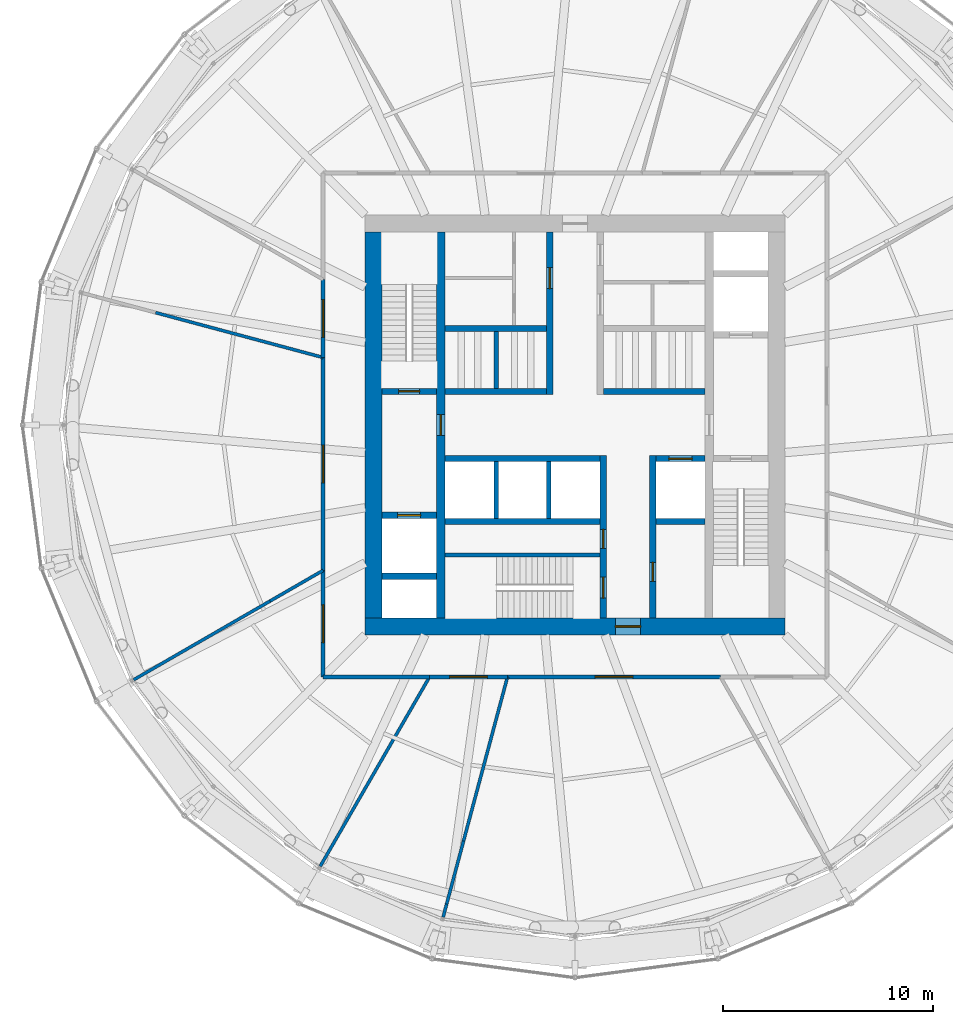
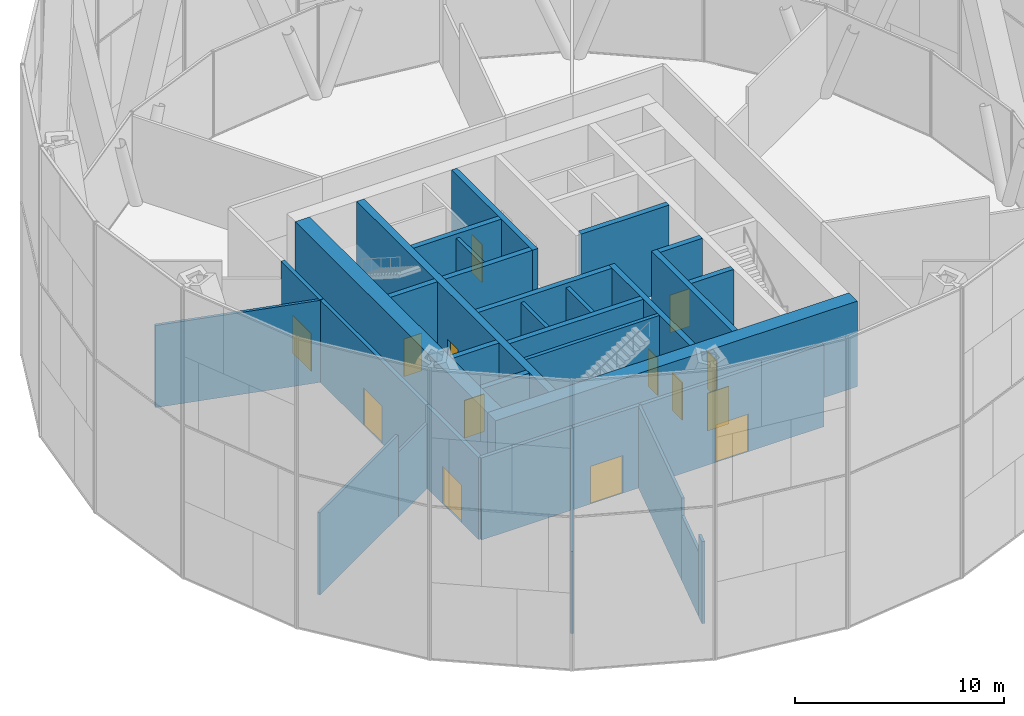
# One storey, part 13 of 16: 33 walls, 14 doors, 14 openings.
"""IFC4 building model written with IfcOpenShell, lengths in metres."""

from ifc_helpers import new_model, si_unit, direction, frame, frame_2d, origin, place, context, subcontext, project, spatial, rectangle, extrude, material, layer, layer_set, type_object, element, fill, save


model = new_model("IFC4")

# Units and contexts
model_context = context("Model", 3, precision=1e-05, world=origin(), true_north=direction((0.0, 1.0)))
body_context = subcontext(model_context, "Body", "Model", "MODEL_VIEW")
ifc_project = project(units=[si_unit("LENGTHUNIT", "METRE"), si_unit("AREAUNIT", "SQUARE_METRE"), si_unit("VOLUMEUNIT", "CUBIC_METRE"), si_unit("PLANEANGLEUNIT", "RADIAN"), si_unit("MASSUNIT", "GRAM", prefix="KILO")], contexts=[model_context])

# Site, building, storey
site_placement = place(None, origin())
site = spatial("IfcSite", under=ifc_project, at=site_placement, CompositionType="ELEMENT")
building_placement = place(site_placement, origin())
building = spatial("IfcBuilding", under=site, at=building_placement, Name="Golbaran Civic Tower", CompositionType="ELEMENT")
storey_placement = place(building_placement, frame((0.0, 0.0, 85.0)))
storey = spatial("IfcBuildingStorey", under=building, at=storey_placement, Name="L20", CompositionType="ELEMENT", Elevation=85.0)

# Wall, opening, door
ifc_material_1 = material(Name="Concrete C50/60", Category="concrete")
ifc_layer_1 = layer(ifc_material_1, 0.39990234375, Name="Concrete C50/60")
ifc_layer_set_1 = layer_set([ifc_layer_1], Name="Concrete C50/60")
wall_type_1 = type_object("IfcWallType", Name="CORE WALL CONCRETE 400", PredefinedType="SOLIDWALL", material=ifc_layer_set_1)
wall_1_placement = place(storey_placement, frame((-6.39990234375, -9.199951171875, 0.0), z_axis=(0.0, 0.0, 1.0), x_axis=(0.0, 1.0, 0.0)))
wall_1 = element("IfcWall", 1, at=wall_1_placement, inside=storey, type_object=wall_type_1, Name="Core wall IW L20", PredefinedType="SOLIDWALL", context=body_context, shape_type="SweptSolid", body=[
    extrude(rectangle(XDim=18.39990234375, YDim=0.39990234375, at=frame_2d((9.199951171875, 0.0))), origin(), (0.0, 0.0, 1.0), 5.0),
])
opening_1_placement = place(wall_1_placement, frame((8.699951171875, 0.0, 0.0)))
opening_1 = element("IfcOpeningElement", 2, at=opening_1_placement, cuts=wall_1, Name="Opening L20.FL1", PredefinedType="OPENING", context=body_context, shape_type="SweptSolid", body=[
    extrude(rectangle(XDim=1.0, YDim=2.199951171875, at=frame_2d((0.5, 1.10009765625))), frame((0.0, 0.2099609375, 0.0), z_axis=(0.0, -1.0, 0.0), x_axis=(1.0, 0.0, 0.0)), (0.0, 0.0, 1.0), 0.419921875),
])
ifc_material_2 = material(Name="Timber door set in steel frame", Category="steel")
door_type_1 = type_object("IfcDoorType", Name="STAIR DOOR 1000x2200", OperationType="SINGLE_SWING_LEFT", PredefinedType="DOOR", material=ifc_material_2)
door_1_placement = place(opening_1_placement, origin())
door_1 = element("IfcDoor", 3, at=door_1_placement, inside=storey, type_object=door_type_1, Name="Fire-fighting lobby FL1 door", OperationType="SINGLE_SWING_LEFT", OverallHeight=2.199951171875, OverallWidth=1.0, PredefinedType="DOOR", context=body_context, shape_type="SweptSolid", body=[
    extrude(rectangle(XDim=1.0, YDim=2.199951171875, at=frame_2d((0.5, 1.10009765625))), frame((0.0, 0.02490234375, 0.0), z_axis=(0.0, -1.0, 0.0), x_axis=(1.0, 0.0, 0.0)), (0.0, 0.0, 1.0), 0.050048828125),
])
fill(opening_1, door_1)

ifc_layer_2 = layer(ifc_material_1, 0.800048828125, Name="Concrete C50/60")
ifc_layer_set_2 = layer_set([ifc_layer_2], Name="Concrete C50/60")
wall_type_2 = type_object("IfcWallType", Name="CORE WALL CONCRETE 800", PredefinedType="SOLIDWALL", material=ifc_layer_set_2)
wall_2_placement = place(storey_placement, frame((10.0, -9.60009765625, 0.0), z_axis=(0.0, 0.0, 1.0), x_axis=(-1.0, 0.0, 0.0)))
wall_2 = element("IfcWall", 4, at=wall_2_placement, inside=storey, type_object=wall_type_2, Name="Core wall CS L20", PredefinedType="SOLIDWALL", context=body_context, shape_type="SweptSolid", body=[
    extrude(rectangle(XDim=20.0, YDim=0.800048828125, at=frame_2d((10.0, 0.0))), origin(), (0.0, 0.0, 1.0), 5.0),
])
opening_2_placement = place(wall_2_placement, frame((6.875, 0.0, 0.0)))
opening_2 = element("IfcOpeningElement", 5, at=opening_2_placement, cuts=wall_2, Name="Opening L20.CS", PredefinedType="OPENING", context=body_context, shape_type="SweptSolid", body=[
    extrude(rectangle(XDim=1.199951171875, YDim=2.199951171875, at=frame_2d((0.60009765625, 1.10009765625))), frame((0.0, 0.409912109375, 0.0), z_axis=(0.0, -1.0, 0.0), x_axis=(1.0, 0.0, 0.0)), (0.0, 0.0, 1.0), 0.820068359375),
])
door_type_2 = type_object("IfcDoorType", Name="CORE DOOR 1200x2200", OperationType="DOUBLE_DOOR_SINGLE_SWING", PredefinedType="DOOR", material=ifc_material_2)
door_2_placement = place(opening_2_placement, origin())
door_2 = element("IfcDoor", 6, at=door_2_placement, inside=storey, type_object=door_type_2, Name="Core door south", OperationType="DOUBLE_DOOR_SINGLE_SWING", OverallHeight=2.199951171875, OverallWidth=1.199951171875, PredefinedType="DOOR", context=body_context, shape_type="SweptSolid", body=[
    extrude(rectangle(XDim=1.199951171875, YDim=2.199951171875, at=frame_2d((0.60009765625, 1.10009765625))), frame((0.0, 0.02490234375, 0.0), z_axis=(0.0, -1.0, 0.0), x_axis=(1.0, 0.0, 0.0)), (0.0, 0.0, 1.0), 0.050048828125),
])
fill(opening_2, door_2)

# Wall
wall_3_placement = place(storey_placement, frame((-9.60009765625, 9.199951171875, 0.0), z_axis=(0.0, 0.0, 1.0), x_axis=(0.0, -1.0, 0.0)))
element("IfcWall", 7, at=wall_3_placement, inside=storey, type_object=wall_type_2, Name="Core wall CW L20", PredefinedType="SOLIDWALL", context=body_context, shape_type="SweptSolid", body=[
    extrude(rectangle(XDim=18.39990234375, YDim=0.800048828125, at=frame_2d((9.199951171875, 0.0))), origin(), (0.0, 0.0, 1.0), 5.0),
])

# Wall, opening, door
ifc_material_3 = material(Name="Gypsum board on steel studs, fire-rated", Category="steel")
ifc_layer_3 = layer(ifc_material_3, 0.199951171875, Name="Gypsum board on steel studs, fire-rated")
ifc_layer_set_3 = layer_set([ifc_layer_3], Name="Gypsum board on steel studs, fire-rated")
wall_type_3 = type_object("IfcWallType", Name="CORRIDOR WALL 200", PredefinedType="PARTITIONING", material=ifc_layer_set_3)
wall_4_placement = place(storey_placement, frame((-12.0, 6.92822265625, 0.0), z_axis=(0.0, 0.0, 1.0), x_axis=(0.0, -1.0, 0.0)))
wall_4 = element("IfcWall", 8, at=wall_4_placement, inside=storey, type_object=wall_type_3, Name="Corridor wall L20", PredefinedType="PARTITIONING", context=body_context, shape_type="SweptSolid", body=[
    extrude(rectangle(XDim=3.712890625, YDim=0.199951171875, at=frame_2d((1.8564453125, 0.0))), origin(), (0.0, 0.0, 1.0), 4.800048828125),
])
opening_3_placement = place(wall_4_placement, frame((0.956298828125, 0.0, 0.0)))
opening_3 = element("IfcOpeningElement", 9, at=opening_3_placement, cuts=wall_4, Name="Opening L20.08", PredefinedType="OPENING", context=body_context, shape_type="SweptSolid", body=[
    extrude(rectangle(XDim=1.800048828125, YDim=2.199951171875, at=frame_2d((0.89990234375, 1.10009765625))), frame((0.0, 0.10986328125, 0.0), z_axis=(0.0, -1.0, 0.0), x_axis=(1.0, 0.0, 0.0)), (0.0, 0.0, 1.0), 0.219970703125),
])
door_type_3 = type_object("IfcDoorType", Name="OFFICE DOUBLE DOOR 1800x2200", OperationType="DOUBLE_DOOR_SINGLE_SWING", PredefinedType="DOOR", material=ifc_material_2)
door_3_placement = place(opening_3_placement, origin())
door_3 = element("IfcDoor", 10, at=door_3_placement, inside=storey, type_object=door_type_3, Name="Refuge Area door L20", OperationType="DOUBLE_DOOR_SINGLE_SWING", OverallHeight=2.199951171875, OverallWidth=1.800048828125, PredefinedType="DOOR", context=body_context, shape_type="SweptSolid", body=[
    extrude(rectangle(XDim=1.800048828125, YDim=2.199951171875, at=frame_2d((0.89990234375, 1.10009765625))), frame((0.0, 0.02490234375, 0.0), z_axis=(0.0, -1.0, 0.0), x_axis=(1.0, 0.0, 0.0)), (0.0, 0.0, 1.0), 0.050048828125),
])
fill(opening_3, door_3)

wall_5_placement = place(storey_placement, frame((-12.0, 3.21533203125, 0.0), z_axis=(0.0, 0.0, 1.0), x_axis=(0.0, -1.0, 0.0)))
wall_5 = element("IfcWall", 11, at=wall_5_placement, inside=storey, type_object=wall_type_3, Name="Corridor wall L20", PredefinedType="PARTITIONING", context=body_context, shape_type="SweptSolid", body=[
    extrude(rectangle(XDim=10.1435546875, YDim=0.199951171875, at=frame_2d((5.07177734375, 0.0))), origin(), (0.0, 0.0, 1.0), 4.800048828125),
])
opening_4_placement = place(wall_5_placement, frame((4.171875, 0.0, 0.0)))
opening_4 = element("IfcOpeningElement", 12, at=opening_4_placement, cuts=wall_5, Name="Opening L20.09", PredefinedType="OPENING", context=body_context, shape_type="SweptSolid", body=[
    extrude(rectangle(XDim=1.800048828125, YDim=2.199951171875, at=frame_2d((0.89990234375, 1.10009765625))), frame((0.0, 0.10986328125, 0.0), z_axis=(0.0, -1.0, 0.0), x_axis=(1.0, 0.0, 0.0)), (0.0, 0.0, 1.0), 0.219970703125),
])
door_4_placement = place(opening_4_placement, origin())
door_4 = element("IfcDoor", 13, at=door_4_placement, inside=storey, type_object=door_type_3, Name="Air Handling Plant Room door L20", OperationType="DOUBLE_DOOR_SINGLE_SWING", OverallHeight=2.199951171875, OverallWidth=1.800048828125, PredefinedType="DOOR", context=body_context, shape_type="SweptSolid", body=[
    extrude(rectangle(XDim=1.800048828125, YDim=2.199951171875, at=frame_2d((0.89990234375, 1.10009765625))), frame((0.0, 0.02490234375, 0.0), z_axis=(0.0, -1.0, 0.0), x_axis=(1.0, 0.0, 0.0)), (0.0, 0.0, 1.0), 0.050048828125),
])
fill(opening_4, door_4)

wall_6_placement = place(storey_placement, frame((-12.0, -6.92822265625, 0.0), z_axis=(0.0, 0.0, 1.0), x_axis=(0.0, -1.0, 0.0)))
wall_6 = element("IfcWall", 14, at=wall_6_placement, inside=storey, type_object=wall_type_3, Name="Corridor wall L20", PredefinedType="PARTITIONING", context=body_context, shape_type="SweptSolid", body=[
    extrude(rectangle(XDim=5.07177734375, YDim=0.199951171875, at=frame_2d((2.535888671875, 0.0))), origin(), (0.0, 0.0, 1.0), 4.800048828125),
])
opening_5_placement = place(wall_6_placement, frame((1.635986328125, 0.0, 0.0)))
opening_5 = element("IfcOpeningElement", 15, at=opening_5_placement, cuts=wall_6, Name="Opening L20.10", PredefinedType="OPENING", context=body_context, shape_type="SweptSolid", body=[
    extrude(rectangle(XDim=1.800048828125, YDim=2.199951171875, at=frame_2d((0.89990234375, 1.10009765625))), frame((0.0, 0.10986328125, 0.0), z_axis=(0.0, -1.0, 0.0), x_axis=(1.0, 0.0, 0.0)), (0.0, 0.0, 1.0), 0.219970703125),
])
door_5_placement = place(opening_5_placement, origin())
door_5 = element("IfcDoor", 16, at=door_5_placement, inside=storey, type_object=door_type_3, Name="Electrical Switch Room door L20", OperationType="DOUBLE_DOOR_SINGLE_SWING", OverallHeight=2.199951171875, OverallWidth=1.800048828125, PredefinedType="DOOR", context=body_context, shape_type="SweptSolid", body=[
    extrude(rectangle(XDim=1.800048828125, YDim=2.199951171875, at=frame_2d((0.89990234375, 1.10009765625))), frame((0.0, 0.02490234375, 0.0), z_axis=(0.0, -1.0, 0.0), x_axis=(1.0, 0.0, 0.0)), (0.0, 0.0, 1.0), 0.050048828125),
])
fill(opening_5, door_5)

# Wall
wall_7_placement = place(storey_placement, frame((-12.0, -12.0, 0.0), z_axis=(0.0, 0.0, 1.0), x_axis=(1.0, 0.0, 0.0)))
element("IfcWall", 17, at=wall_7_placement, inside=storey, type_object=wall_type_3, Name="Corridor wall L20", PredefinedType="PARTITIONING", context=body_context, shape_type="SweptSolid", body=[
    extrude(rectangle(XDim=5.07177734375, YDim=0.199951171875, at=frame_2d((2.535888671875, 0.0))), origin(), (0.0, 0.0, 1.0), 4.800048828125),
])

# Wall, opening, door
wall_8_placement = place(storey_placement, frame((-6.92822265625, -12.0, 0.0), z_axis=(0.0, 0.0, 1.0), x_axis=(1.0, 0.0, 0.0)))
wall_8 = element("IfcWall", 18, at=wall_8_placement, inside=storey, type_object=wall_type_3, Name="Corridor wall L20", PredefinedType="PARTITIONING", context=body_context, shape_type="SweptSolid", body=[
    extrude(rectangle(XDim=3.712890625, YDim=0.199951171875, at=frame_2d((1.8564453125, 0.0))), origin(), (0.0, 0.0, 1.0), 4.800048828125),
])
opening_6_placement = place(wall_8_placement, frame((0.956298828125, 0.0, 0.0)))
opening_6 = element("IfcOpeningElement", 19, at=opening_6_placement, cuts=wall_8, Name="Opening L20.11", PredefinedType="OPENING", context=body_context, shape_type="SweptSolid", body=[
    extrude(rectangle(XDim=1.800048828125, YDim=2.199951171875, at=frame_2d((0.89990234375, 1.10009765625))), frame((0.0, 0.10986328125, 0.0), z_axis=(0.0, -1.0, 0.0), x_axis=(1.0, 0.0, 0.0)), (0.0, 0.0, 1.0), 0.219970703125),
])
door_6_placement = place(opening_6_placement, origin())
door_6 = element("IfcDoor", 20, at=door_6_placement, inside=storey, type_object=door_type_3, Name="Chiller Plant Room door L20", OperationType="DOUBLE_DOOR_SINGLE_SWING", OverallHeight=2.199951171875, OverallWidth=1.800048828125, PredefinedType="DOOR", context=body_context, shape_type="SweptSolid", body=[
    extrude(rectangle(XDim=1.800048828125, YDim=2.199951171875, at=frame_2d((0.89990234375, 1.10009765625))), frame((0.0, 0.02490234375, 0.0), z_axis=(0.0, -1.0, 0.0), x_axis=(1.0, 0.0, 0.0)), (0.0, 0.0, 1.0), 0.050048828125),
])
fill(opening_6, door_6)

wall_9_placement = place(storey_placement, frame((-3.21533203125, -12.0, 0.0), z_axis=(0.0, 0.0, 1.0), x_axis=(1.0, 0.0, 0.0)))
wall_9 = element("IfcWall", 21, at=wall_9_placement, inside=storey, type_object=wall_type_3, Name="Corridor wall L20", PredefinedType="PARTITIONING", context=body_context, shape_type="SweptSolid", body=[
    extrude(rectangle(XDim=10.1435546875, YDim=0.199951171875, at=frame_2d((5.07177734375, 0.0))), origin(), (0.0, 0.0, 1.0), 4.800048828125),
])
opening_7_placement = place(wall_9_placement, frame((4.171875, 0.0, 0.0)))
opening_7 = element("IfcOpeningElement", 22, at=opening_7_placement, cuts=wall_9, Name="Opening L20.12", PredefinedType="OPENING", context=body_context, shape_type="SweptSolid", body=[
    extrude(rectangle(XDim=1.800048828125, YDim=2.199951171875, at=frame_2d((0.89990234375, 1.10009765625))), frame((0.0, 0.10986328125, 0.0), z_axis=(0.0, -1.0, 0.0), x_axis=(1.0, 0.0, 0.0)), (0.0, 0.0, 1.0), 0.219970703125),
])
door_7_placement = place(opening_7_placement, origin())
door_7 = element("IfcDoor", 23, at=door_7_placement, inside=storey, type_object=door_type_3, Name="Refuge Area door L20", OperationType="DOUBLE_DOOR_SINGLE_SWING", OverallHeight=2.199951171875, OverallWidth=1.800048828125, PredefinedType="DOOR", context=body_context, shape_type="SweptSolid", body=[
    extrude(rectangle(XDim=1.800048828125, YDim=2.199951171875, at=frame_2d((0.89990234375, 1.10009765625))), frame((0.0, 0.02490234375, 0.0), z_axis=(0.0, -1.0, 0.0), x_axis=(1.0, 0.0, 0.0)), (0.0, 0.0, 1.0), 0.050048828125),
])
fill(opening_7, door_7)

# Walls
ifc_material_4 = material(Name="Concrete block", Category="concrete")
ifc_layer_4 = layer(ifc_material_4, 0.199951171875, Name="Concrete block")
ifc_layer_set_4 = layer_set([ifc_layer_4], Name="Concrete block")
wall_type_4 = type_object("IfcWallType", Name="LIFT SEPARATOR WALL 200", PredefinedType="SOLIDWALL", material=ifc_layer_set_4)
for number, where, z_axis, x_axis, name in (
    (24, (-3.75, 1.75, 0.0), (0.0, 0.0, 1.0), (0.0, 1.0, 0.0), "Core partition SNW L20"),
    (25, (-3.75, -1.75, 0.0), (0.0, 0.0, 1.0), (0.0, -1.0, 0.0), "Core partition SSW L20"),
    (26, (-1.25, -1.75, 0.0), (0.0, 0.0, 1.0), (0.0, -1.0, 0.0), "Core partition SSM L20"),
):
    element("IfcWall", number, at=place(storey_placement, frame(where, z_axis=z_axis, x_axis=x_axis)), inside=storey, type_object=wall_type_4, Name=name, PredefinedType="SOLIDWALL", context=body_context, shape_type="SweptSolid", body=[
        extrude(rectangle(XDim=2.699951171875, YDim=0.199951171875, at=frame_2d((1.35009765625, 0.0))), origin(), (0.0, 0.0, 1.0), 4.75),
    ])
ifc_material_5 = material(Name="Gypsum board on steel studs", Category="steel")
ifc_layer_5 = layer(ifc_material_5, 0.14990234375, Name="Gypsum board on steel studs")
ifc_layer_set_5 = layer_set([ifc_layer_5], Name="Gypsum board on steel studs")
wall_type_5 = type_object("IfcWallType", Name="OFFICE PARTITION 150", PredefinedType="PARTITIONING", material=ifc_layer_set_5)
wall_10_placement = place(storey_placement, frame((-12.0, 3.21533203125, 0.0), z_axis=(0.0, 0.0, 1.0), x_axis=(-0.965926149295, 0.258817839624, 0.0)))
element("IfcWall", 27, at=wall_10_placement, inside=storey, type_object=wall_type_5, Name="Partition 165 L20", PredefinedType="PARTITIONING", context=body_context, shape_type="SweptSolid", body=[
    extrude(rectangle(XDim=8.259521484375, YDim=0.14990234375, at=frame_2d((4.1298828125, 0.0))), origin(), (0.0, 0.0, 1.0), 4.800048828125),
])
wall_11_placement = place(storey_placement, frame((-12.0, -6.92822265625, 0.0), z_axis=(0.0, 0.0, 1.0), x_axis=(-0.866026830048, -0.499997529631, 0.0)))
element("IfcWall", 28, at=wall_11_placement, inside=storey, type_object=wall_type_5, Name="Partition 210 L20", PredefinedType="PARTITIONING", context=body_context, shape_type="SweptSolid", body=[
    extrude(rectangle(XDim=2.91943359375, YDim=0.14990234375, at=frame_2d((1.459716796875, 0.0))), origin(), (0.0, 0.0, 1.0), 3.7900390625),
])
wall_12_placement = place(storey_placement, frame((-14.5283203125, -8.387939453125, 0.0), z_axis=(0.0, 0.0, 1.0), x_axis=(-0.8660207781, -0.500008011835, 0.0)))
element("IfcWall", 29, at=wall_12_placement, inside=storey, type_object=wall_type_5, Name="Partition 210 L20 (part 2)", PredefinedType="PARTITIONING", context=body_context, shape_type="SweptSolid", body=[
    extrude(rectangle(XDim=7.49951171875, YDim=0.14990234375, at=frame_2d((3.749755859375, 0.0))), origin(), (0.0, 0.0, 1.0), 4.800048828125),
])
wall_13_placement = place(storey_placement, frame((-6.92822265625, -12.0, 0.0), z_axis=(0.0, 0.0, 1.0), x_axis=(-0.500005074639, -0.86602247392, 0.0)))
element("IfcWall", 30, at=wall_13_placement, inside=storey, type_object=wall_type_5, Name="Partition 240 L20", PredefinedType="PARTITIONING", context=body_context, shape_type="SweptSolid", body=[
    extrude(rectangle(XDim=10.4189453125, YDim=0.14990234375, at=frame_2d((5.20947265625, 0.0))), origin(), (0.0, 0.0, 1.0), 4.800048828125),
])
wall_14_placement = place(storey_placement, frame((-3.21533203125, -12.0, 0.0), z_axis=(0.0, 0.0, 1.0), x_axis=(-0.258830053586, -0.965922876508, 0.0)))
element("IfcWall", 31, at=wall_14_placement, inside=storey, type_object=wall_type_5, Name="Partition 255 L20", PredefinedType="PARTITIONING", context=body_context, shape_type="SweptSolid", body=[
    extrude(rectangle(XDim=8.094970703125, YDim=0.14990234375, at=frame_2d((4.04736328125, 0.0))), origin(), (0.0, 0.0, 1.0), 4.800048828125),
])
wall_15_placement = place(storey_placement, frame((-5.310546875, -19.819091796875, 0.0), z_axis=(0.0, 0.0, 1.0), x_axis=(-0.258835525839, -0.965921410138, 0.0)))
element("IfcWall", 32, at=wall_15_placement, inside=storey, type_object=wall_type_5, Name="Partition 255 L20 (part 2)", PredefinedType="PARTITIONING", context=body_context, shape_type="SweptSolid", body=[
    extrude(rectangle(XDim=3.10888671875, YDim=0.14990234375, at=frame_2d((1.554443359375, 0.0))), origin(), (0.0, 0.0, 1.0), 3.7900390625),
])
wall_16_placement = place(storey_placement, frame((-6.115234375, -22.822021484375, 0.0), z_axis=(0.0, 0.0, 1.0), x_axis=(-0.258811407408, -0.965927872771, 0.0)))
element("IfcWall", 33, at=wall_16_placement, inside=storey, type_object=wall_type_5, Name="Partition 255 L20 (part 3)", PredefinedType="PARTITIONING", context=body_context, shape_type="SweptSolid", body=[
    extrude(rectangle(XDim=0.64794921875, YDim=0.14990234375, at=frame_2d((0.323974609375, 0.0))), origin(), (0.0, 0.0, 1.0), 4.800048828125),
])
ifc_layer_6 = layer(ifc_material_1, 0.199951171875, Name="Concrete C50/60")
ifc_layer_set_6 = layer_set([ifc_layer_6], Name="Concrete C50/60")
wall_type_6 = type_object("IfcWallType", Name="SHAFT WALL CONCRETE 200", PredefinedType="SOLIDWALL", material=ifc_layer_set_6)
wall_17_placement = place(storey_placement, frame((-6.199951171875, -6.199951171875, 0.0), z_axis=(0.0, 0.0, 1.0), x_axis=(1.0, 0.0, 0.0)))
element("IfcWall", 34, at=wall_17_placement, inside=storey, type_object=wall_type_6, Name="Core wall S3N L20", PredefinedType="SOLIDWALL", context=body_context, shape_type="SweptSolid", body=[
    extrude(rectangle(XDim=7.39990234375, YDim=0.199951171875, at=frame_2d((3.699951171875, 0.0))), origin(), (0.0, 0.0, 1.0), 5.0),
])
ifc_layer_7 = layer(ifc_material_1, 0.300048828125, Name="Concrete C50/60")
ifc_layer_set_7 = layer_set([ifc_layer_7], Name="Concrete C50/60")
wall_type_7 = type_object("IfcWallType", Name="SHAFT WALL CONCRETE 300", PredefinedType="SOLIDWALL", material=ifc_layer_set_7)
for number, where, z_axis, x_axis, name in (
    (35, (-6.199951171875, 1.60009765625, 0.0), (0.0, 0.0, 1.0), (1.0, 0.0, 0.0), "Core wall FNW L20"),
    (36, (1.35009765625, 1.60009765625, 0.0), (0.0, 0.0, 1.0), (1.0, 0.0, 0.0), "Core wall FNE L20"),
    (37, (-6.199951171875, 4.60009765625, 0.0), (0.0, 0.0, 1.0), (1.0, 0.0, 0.0), "Core wall BNW L20"),
):
    element("IfcWall", number, at=place(storey_placement, frame(where, z_axis=z_axis, x_axis=x_axis)), inside=storey, type_object=wall_type_7, Name=name, PredefinedType="SOLIDWALL", context=body_context, shape_type="SweptSolid", body=[
        extrude(rectangle(XDim=4.849853515625, YDim=0.300048828125, at=frame_2d((2.4248046875, 0.0))), origin(), (0.0, 0.0, 1.0), 5.0),
    ])

# Wall, opening, door
wall_18_placement = place(storey_placement, frame((-1.199951171875, 1.449951171875, 0.0), z_axis=(0.0, 0.0, 1.0), x_axis=(0.0, 1.0, 0.0)))
wall_18 = element("IfcWall", 38, at=wall_18_placement, inside=storey, type_object=wall_type_7, Name="Core wall PNW L20", PredefinedType="SOLIDWALL", context=body_context, shape_type="SweptSolid", body=[
    extrude(rectangle(XDim=7.75, YDim=0.300048828125, at=frame_2d((3.875, 0.0))), origin(), (0.0, 0.0, 1.0), 5.0),
])
opening_8_placement = place(wall_18_placement, frame((5.050048828125, 0.0, 0.0)))
opening_8 = element("IfcOpeningElement", 39, at=opening_8_placement, cuts=wall_18, Name="Opening L20.WCM", PredefinedType="OPENING", context=body_context, shape_type="SweptSolid", body=[
    extrude(rectangle(XDim=1.0, YDim=2.199951171875, at=frame_2d((0.5, 1.10009765625))), frame((0.0, 0.159912109375, 0.0), z_axis=(0.0, -1.0, 0.0), x_axis=(1.0, 0.0, 0.0)), (0.0, 0.0, 1.0), 0.320068359375),
])
door_type_4 = type_object("IfcDoorType", Name="TOILET DOOR 1000x2200", OperationType="SINGLE_SWING_LEFT", PredefinedType="DOOR", material=ifc_material_2)
door_8_placement = place(opening_8_placement, origin())
door_8 = element("IfcDoor", 40, at=door_8_placement, inside=storey, type_object=door_type_4, Name="North-west toilet block door", OperationType="SINGLE_SWING_RIGHT", OverallHeight=2.199951171875, OverallWidth=1.0, PredefinedType="DOOR", context=body_context, shape_type="SweptSolid", body=[
    extrude(rectangle(XDim=1.0, YDim=2.199951171875, at=frame_2d((0.5, 1.10009765625))), frame((0.0, 0.02490234375, 0.0), z_axis=(0.0, -1.0, 0.0), x_axis=(1.0, 0.0, 0.0)), (0.0, 0.0, 1.0), 0.050048828125),
])
fill(opening_8, door_8)

# Wall
wall_19_placement = place(storey_placement, frame((-6.199951171875, -1.60009765625, 0.0), z_axis=(0.0, 0.0, 1.0), x_axis=(1.0, 0.0, 0.0)))
element("IfcWall", 41, at=wall_19_placement, inside=storey, type_object=wall_type_7, Name="Core wall FSW L20", PredefinedType="SOLIDWALL", context=body_context, shape_type="SweptSolid", body=[
    extrude(rectangle(XDim=7.39990234375, YDim=0.300048828125, at=frame_2d((3.699951171875, 0.0))), origin(), (0.0, 0.0, 1.0), 5.0),
])

# Wall, opening, door
wall_20_placement = place(storey_placement, frame((3.85009765625, -1.60009765625, 0.0), z_axis=(0.0, 0.0, 1.0), x_axis=(1.0, 0.0, 0.0)))
wall_20 = element("IfcWall", 42, at=wall_20_placement, inside=storey, type_object=wall_type_7, Name="Core wall FSE L20", PredefinedType="SOLIDWALL", context=body_context, shape_type="SweptSolid", body=[
    extrude(rectangle(XDim=2.349853515625, YDim=0.300048828125, at=frame_2d((1.1748046875, 0.0))), origin(), (0.0, 0.0, 1.0), 5.0),
])
opening_9_placement = place(wall_20_placement, frame((0.625, 0.0, 0.0)))
opening_9 = element("IfcOpeningElement", 43, at=opening_9_placement, cuts=wall_20, Name="Opening L20.LD-V1", PredefinedType="OPENING", context=body_context, shape_type="SweptSolid", body=[
    extrude(rectangle(XDim=1.10009765625, YDim=2.199951171875, at=frame_2d((0.550048828125, 1.10009765625))), frame((0.0, 0.159912109375, 0.0), z_axis=(0.0, -1.0, 0.0), x_axis=(1.0, 0.0, 0.0)), (0.0, 0.0, 1.0), 0.320068359375),
])
ifc_material_6 = material(Name="Stainless steel", Category="steel")
door_type_5 = type_object("IfcDoorType", Name="LIFT LANDING DOOR 1100x2200", OperationType="SLIDING_TO_LEFT", PredefinedType="DOOR", material=ifc_material_6)
door_9_placement = place(opening_9_placement, origin())
door_9 = element("IfcDoor", 44, at=door_9_placement, inside=storey, type_object=door_type_5, Name="Lift landing door V1", OperationType="SLIDING_TO_LEFT", OverallHeight=2.199951171875, OverallWidth=1.10009765625, PredefinedType="DOOR", context=body_context, shape_type="SweptSolid", body=[
    extrude(rectangle(XDim=1.10009765625, YDim=2.199951171875, at=frame_2d((0.550048828125, 1.10009765625))), frame((0.0, 0.02490234375, 0.0), z_axis=(0.0, -1.0, 0.0), x_axis=(1.0, 0.0, 0.0)), (0.0, 0.0, 1.0), 0.050048828125),
])
fill(opening_9, door_9)

# Walls
wall_21_placement = place(storey_placement, frame((-6.199951171875, -4.60009765625, 0.0), z_axis=(0.0, 0.0, 1.0), x_axis=(1.0, 0.0, 0.0)))
element("IfcWall", 45, at=wall_21_placement, inside=storey, type_object=wall_type_7, Name="Core wall BSW L20", PredefinedType="SOLIDWALL", context=body_context, shape_type="SweptSolid", body=[
    extrude(rectangle(XDim=7.39990234375, YDim=0.300048828125, at=frame_2d((3.699951171875, 0.0))), origin(), (0.0, 0.0, 1.0), 5.0),
])
wall_22_placement = place(storey_placement, frame((3.85009765625, -4.60009765625, 0.0), z_axis=(0.0, 0.0, 1.0), x_axis=(1.0, 0.0, 0.0)))
element("IfcWall", 46, at=wall_22_placement, inside=storey, type_object=wall_type_7, Name="Core wall BSE L20", PredefinedType="SOLIDWALL", context=body_context, shape_type="SweptSolid", body=[
    extrude(rectangle(XDim=2.349853515625, YDim=0.300048828125, at=frame_2d((1.1748046875, 0.0))), origin(), (0.0, 0.0, 1.0), 5.0),
])

# Wall, openings, doors
wall_23_placement = place(storey_placement, frame((1.35009765625, -1.449951171875, 0.0), z_axis=(0.0, 0.0, 1.0), x_axis=(0.0, -1.0, 0.0)))
wall_23 = element("IfcWall", 47, at=wall_23_placement, inside=storey, type_object=wall_type_7, Name="Core wall PSW L20", PredefinedType="SOLIDWALL", context=body_context, shape_type="SweptSolid", body=[
    extrude(rectangle(XDim=7.75, YDim=0.300048828125, at=frame_2d((3.875, 0.0))), origin(), (0.0, 0.0, 1.0), 5.0),
])
opening_10_placement = place(wall_23_placement, frame((5.800048828125, 0.0, 0.0)))
opening_10 = element("IfcOpeningElement", 48, at=opening_10_placement, cuts=wall_23, Name="Opening L20.S3", PredefinedType="OPENING", context=body_context, shape_type="SweptSolid", body=[
    extrude(rectangle(XDim=1.0, YDim=2.199951171875, at=frame_2d((0.5, 1.10009765625))), frame((0.0, 0.159912109375, 0.0), z_axis=(0.0, -1.0, 0.0), x_axis=(1.0, 0.0, 0.0)), (0.0, 0.0, 1.0), 0.320068359375),
])
opening_11_placement = place(wall_23_placement, frame((3.52490234375, 0.0, 0.0)))
opening_11 = element("IfcOpeningElement", 49, at=opening_11_placement, cuts=wall_23, Name="Opening L20.RE", PredefinedType="OPENING", context=body_context, shape_type="SweptSolid", body=[
    extrude(rectangle(XDim=0.89990234375, YDim=2.199951171875, at=frame_2d((0.449951171875, 1.10009765625))), frame((0.0, 0.159912109375, 0.0), z_axis=(0.0, -1.0, 0.0), x_axis=(1.0, 0.0, 0.0)), (0.0, 0.0, 1.0), 0.320068359375),
])
door_type_6 = type_object("IfcDoorType", Name="RISER DOOR 900x2200", OperationType="SINGLE_SWING_LEFT", PredefinedType="DOOR", material=ifc_material_2)
door_10_placement = place(opening_11_placement, origin())
door_10 = element("IfcDoor", 50, at=door_10_placement, inside=storey, type_object=door_type_6, Name="Electrical riser door", OperationType="SINGLE_SWING_RIGHT", OverallHeight=2.199951171875, OverallWidth=0.89990234375, PredefinedType="DOOR", context=body_context, shape_type="SweptSolid", body=[
    extrude(rectangle(XDim=0.89990234375, YDim=2.199951171875, at=frame_2d((0.449951171875, 1.10009765625))), frame((0.0, 0.02490234375, 0.0), z_axis=(0.0, -1.0, 0.0), x_axis=(1.0, 0.0, 0.0)), (0.0, 0.0, 1.0), 0.050048828125),
])
fill(opening_11, door_10)
door_11_placement = place(opening_10_placement, origin())
door_11 = element("IfcDoor", 51, at=door_11_placement, inside=storey, type_object=door_type_1, Name="Stair S3 door", OperationType="SINGLE_SWING_RIGHT", OverallHeight=2.199951171875, OverallWidth=1.0, PredefinedType="DOOR", context=body_context, shape_type="SweptSolid", body=[
    extrude(rectangle(XDim=1.0, YDim=2.199951171875, at=frame_2d((0.5, 1.10009765625))), frame((0.0, 0.02490234375, 0.0), z_axis=(0.0, -1.0, 0.0), x_axis=(1.0, 0.0, 0.0)), (0.0, 0.0, 1.0), 0.050048828125),
])
fill(opening_10, door_11)

# Wall, opening, door
wall_24_placement = place(storey_placement, frame((3.699951171875, -1.449951171875, 0.0), z_axis=(0.0, 0.0, 1.0), x_axis=(0.0, -1.0, 0.0)))
wall_24 = element("IfcWall", 52, at=wall_24_placement, inside=storey, type_object=wall_type_7, Name="Core wall PSE L20", PredefinedType="SOLIDWALL", context=body_context, shape_type="SweptSolid", body=[
    extrude(rectangle(XDim=7.75, YDim=0.300048828125, at=frame_2d((3.875, 0.0))), origin(), (0.0, 0.0, 1.0), 5.0),
])
opening_12_placement = place(wall_24_placement, frame((5.10009765625, 0.0, 0.0)))
opening_12 = element("IfcOpeningElement", 53, at=opening_12_placement, cuts=wall_24, Name="Opening L20.RM", PredefinedType="OPENING", context=body_context, shape_type="SweptSolid", body=[
    extrude(rectangle(XDim=0.89990234375, YDim=2.199951171875, at=frame_2d((0.449951171875, 1.10009765625))), frame((0.0, 0.159912109375, 0.0), z_axis=(0.0, -1.0, 0.0), x_axis=(1.0, 0.0, 0.0)), (0.0, 0.0, 1.0), 0.320068359375),
])
door_12_placement = place(opening_12_placement, origin())
door_12 = element("IfcDoor", 54, at=door_12_placement, inside=storey, type_object=door_type_6, Name="Mechanical riser door", OperationType="SINGLE_SWING_RIGHT", OverallHeight=2.199951171875, OverallWidth=0.89990234375, PredefinedType="DOOR", context=body_context, shape_type="SweptSolid", body=[
    extrude(rectangle(XDim=0.89990234375, YDim=2.199951171875, at=frame_2d((0.449951171875, 1.10009765625))), frame((0.0, 0.02490234375, 0.0), z_axis=(0.0, -1.0, 0.0), x_axis=(1.0, 0.0, 0.0)), (0.0, 0.0, 1.0), 0.050048828125),
])
fill(opening_12, door_12)

wall_25_placement = place(storey_placement, frame((-9.199951171875, 1.60009765625, 0.0), z_axis=(0.0, 0.0, 1.0), x_axis=(1.0, 0.0, 0.0)))
wall_25 = element("IfcWall", 55, at=wall_25_placement, inside=storey, type_object=wall_type_7, Name="Core wall XW1 L20", PredefinedType="SOLIDWALL", context=body_context, shape_type="SweptSolid", body=[
    extrude(rectangle(XDim=2.599853515625, YDim=0.300048828125, at=frame_2d((1.2998046875, 0.0))), origin(), (0.0, 0.0, 1.0), 5.0),
])
opening_13_placement = place(wall_25_placement, frame((0.800048828125, 0.0, 0.0)))
opening_13 = element("IfcOpeningElement", 56, at=opening_13_placement, cuts=wall_25, Name="Opening L20.S1", PredefinedType="OPENING", context=body_context, shape_type="SweptSolid", body=[
    extrude(rectangle(XDim=1.0, YDim=2.199951171875, at=frame_2d((0.5, 1.10009765625))), frame((0.0, 0.159912109375, 0.0), z_axis=(0.0, -1.0, 0.0), x_axis=(1.0, 0.0, 0.0)), (0.0, 0.0, 1.0), 0.320068359375),
])
door_13_placement = place(opening_13_placement, origin())
door_13 = element("IfcDoor", 57, at=door_13_placement, inside=storey, type_object=door_type_1, Name="Stair S1 door", OperationType="SINGLE_SWING_LEFT", OverallHeight=2.199951171875, OverallWidth=1.0, PredefinedType="DOOR", context=body_context, shape_type="SweptSolid", body=[
    extrude(rectangle(XDim=1.0, YDim=2.199951171875, at=frame_2d((0.5, 1.10009765625))), frame((0.0, 0.02490234375, 0.0), z_axis=(0.0, -1.0, 0.0), x_axis=(1.0, 0.0, 0.0)), (0.0, 0.0, 1.0), 0.050048828125),
])
fill(opening_13, door_13)

wall_26_placement = place(storey_placement, frame((-9.199951171875, -4.300048828125, 0.0), z_axis=(0.0, 0.0, 1.0), x_axis=(1.0, 0.0, 0.0)))
wall_26 = element("IfcWall", 58, at=wall_26_placement, inside=storey, type_object=wall_type_7, Name="Core wall XW2 L20", PredefinedType="SOLIDWALL", context=body_context, shape_type="SweptSolid", body=[
    extrude(rectangle(XDim=2.599853515625, YDim=0.300048828125, at=frame_2d((1.2998046875, 0.0))), origin(), (0.0, 0.0, 1.0), 5.0),
])
opening_14_placement = place(wall_26_placement, frame((0.75, 0.0, 0.0)))
opening_14 = element("IfcOpeningElement", 59, at=opening_14_placement, cuts=wall_26, Name="Opening L20.LD-F1", PredefinedType="OPENING", context=body_context, shape_type="SweptSolid", body=[
    extrude(rectangle(XDim=1.10009765625, YDim=2.199951171875, at=frame_2d((0.550048828125, 1.10009765625))), frame((0.0, 0.159912109375, 0.0), z_axis=(0.0, -1.0, 0.0), x_axis=(1.0, 0.0, 0.0)), (0.0, 0.0, 1.0), 0.320068359375),
])
door_14_placement = place(opening_14_placement, origin())
door_14 = element("IfcDoor", 60, at=door_14_placement, inside=storey, type_object=door_type_5, Name="Lift landing door F1", OperationType="SLIDING_TO_LEFT", OverallHeight=2.199951171875, OverallWidth=1.10009765625, PredefinedType="DOOR", context=body_context, shape_type="SweptSolid", body=[
    extrude(rectangle(XDim=1.10009765625, YDim=2.199951171875, at=frame_2d((0.550048828125, 1.10009765625))), frame((0.0, 0.02490234375, 0.0), z_axis=(0.0, -1.0, 0.0), x_axis=(1.0, 0.0, 0.0)), (0.0, 0.0, 1.0), 0.050048828125),
])
fill(opening_14, door_14)

# Wall
wall_27_placement = place(storey_placement, frame((-9.199951171875, -7.199951171875, 0.0), z_axis=(0.0, 0.0, 1.0), x_axis=(1.0, 0.0, 0.0)))
element("IfcWall", 61, at=wall_27_placement, inside=storey, type_object=wall_type_7, Name="Core wall XW3 L20", PredefinedType="SOLIDWALL", context=body_context, shape_type="SweptSolid", body=[
    extrude(rectangle(XDim=2.599853515625, YDim=0.300048828125, at=frame_2d((1.2998046875, 0.0))), origin(), (0.0, 0.0, 1.0), 5.0),
])

save(model, "model.ifc")
